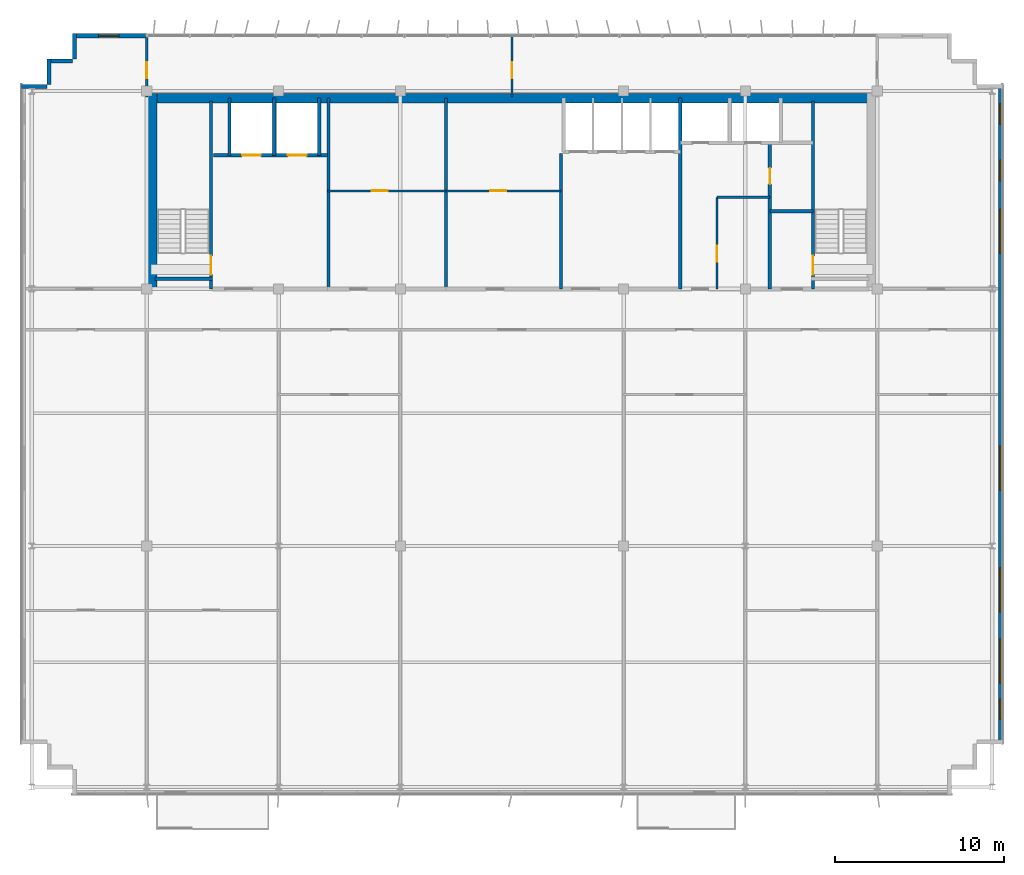
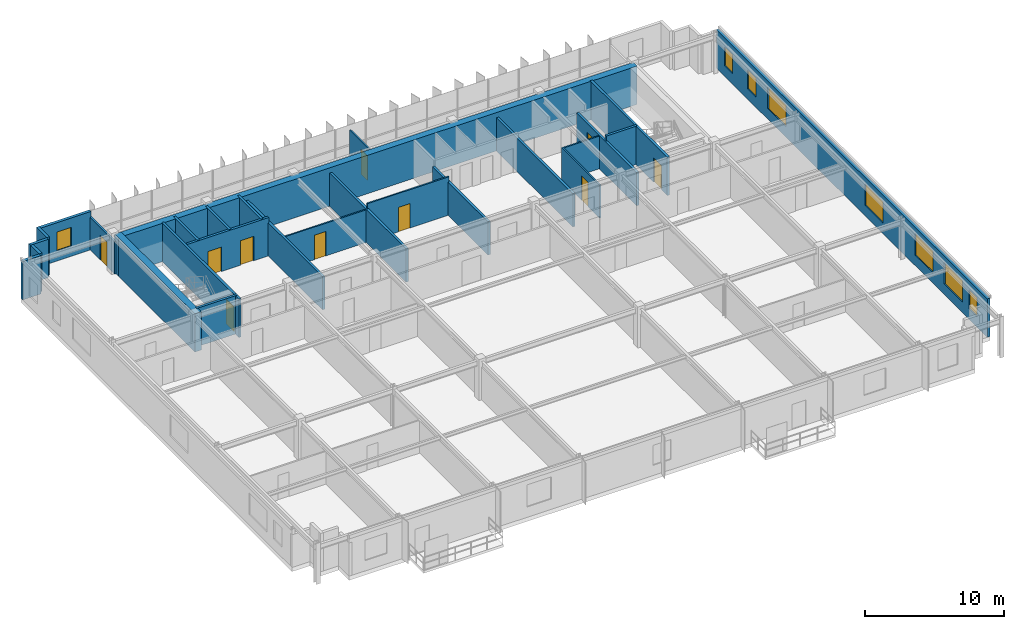
# One storey, part 18 of 21: 27 walls, 10 doors, 8 windows, 18 openings.
"""IFC4 building model written with IfcOpenShell, lengths in metres."""

from ifc_helpers import new_model, si_unit, direction, frame, frame_2d, origin, place, context, subcontext, project, spatial, rectangle, extrude, source, transform, mapped, material, layer, layer_set, type_object, element, fill, save


model = new_model("IFC4")

# Units and contexts
model_context = context("Model", 3, precision=1e-05, world=origin(), true_north=direction((0.0, 1.0)))
body_context = subcontext(model_context, "Body", "Model", "MODEL_VIEW")
ifc_project = project(units=[si_unit("LENGTHUNIT", "METRE"), si_unit("AREAUNIT", "SQUARE_METRE"), si_unit("VOLUMEUNIT", "CUBIC_METRE"), si_unit("PLANEANGLEUNIT", "RADIAN"), si_unit("MASSUNIT", "GRAM", prefix="KILO")], contexts=[model_context])

# Site, building, storey
site_placement = place(None, origin())
site = spatial("IfcSite", under=ifc_project, at=site_placement, CompositionType="ELEMENT")
building_placement = place(site_placement, origin())
building = spatial("IfcBuilding", under=site, at=building_placement, Name="Trelvane Seafront Commons", CompositionType="ELEMENT")
storey_placement = place(building_placement, frame((0.0, 0.0, 248.699951171875)))
storey = spatial("IfcBuildingStorey", under=building, at=storey_placement, Name="L64", CompositionType="ELEMENT", Elevation=248.699951171875)

# Wall, opening, window
ifc_material_1 = material(Name="Precast concrete C40/50", Category="concrete")
ifc_layer_1 = layer(ifc_material_1, 0.239990234375, Name="ARCH-WALL-EXT240")
ifc_layer_set_1 = layer_set([ifc_layer_1], Name="Precast concrete C40/50")
wall_type_1 = type_object("IfcWallType", Name="ARCH-WALL-EXT240", PredefinedType="SOLIDWALL", material=ifc_layer_set_1)
wall_1_placement = place(storey_placement, frame((11.300048828125, 48.3701171875, 0.0), z_axis=(0.0, 0.0, 1.0), x_axis=(1.0, 0.0, 0.0)))
wall_1 = element("IfcWall", 1, at=wall_1_placement, inside=storey, type_object=wall_type_1, Name="EW-L64-NW-1277", PredefinedType="SOLIDWALL", context=body_context, shape_type="SweptSolid", body=[
    extrude(rectangle(XDim=4.300048828125, YDim=0.239990234375, at=frame_2d((2.14990234375, 0.0))), origin(), (0.0, 0.0, 1.0), 3.3701171875),
])
opening_1_placement = place(wall_1_placement, frame((1.4599609375, 0.0, 0.89990234375)))
opening_1 = element("IfcOpeningElement", 2, at=opening_1_placement, cuts=wall_1, Name="Opening W05", PredefinedType="OPENING", context=body_context, shape_type="SweptSolid", body=[
    extrude(rectangle(XDim=1.199951171875, YDim=1.64990234375, at=frame_2d((0.60009765625, 0.824951171875))), frame((0.0, 0.1298828125, 0.0), z_axis=(0.0, -1.0, 0.0), x_axis=(1.0, 0.0, 0.0)), (0.0, 0.0, 1.0), 0.260009765625),
])
ifc_material_2 = material(Name="Low-E coastal double glazing", Category="glass")
window_type_1 = type_object("IfcWindowType", Name="ARCH-WIN-W05", PartitioningType="SINGLE_PANEL", PredefinedType="WINDOW", material=ifc_material_2)
shared_shape_1 = source(origin(), body_context, "Body", "SweptSolid", [
    extrude(rectangle(XDim=1.199951171875, YDim=1.64990234375, at=frame_2d((0.60009765625, 0.824951171875))), frame((0.0, 0.030029296875, 0.0), z_axis=(0.0, -1.0, 0.0), x_axis=(1.0, 0.0, 0.0)), (0.0, 0.0, 1.0), 0.06005859375),
])
window_1_placement = place(opening_1_placement, origin())
window_1 = element("IfcWindow", 3, at=window_1_placement, inside=storey, type_object=window_type_1, Name="WIN-L64-01534", OverallHeight=1.64990234375, OverallWidth=1.199951171875, PartitioningType="SINGLE_PANEL", PredefinedType="WINDOW", context=body_context, shape_type="MappedRepresentation", body=[
    mapped(shared_shape_1, transform((0.0, 0.0, 0.0), x_axis=(1.0, 0.0, 0.0), y_axis=(0.0, 1.0, 0.0), z_axis=(0.0, 0.0, 1.0), scale=1.0)),
])
fill(opening_1, window_1)

# Walls
for number, where, z_axis, x_axis, name in (
    (4, (8.199951171875, 45.3798828125, 0.0), (0.0, 0.0, 1.0), (1.0, 0.0, 0.0), "EW-L64-01283"),
    (5, (9.820068359375, 45.5, 0.0), (0.0, 0.0, 1.0), (0.0, 1.0, 0.0), "EW-L64-01284"),
    (6, (9.699951171875, 46.8798828125, 0.0), (0.0, 0.0, 1.0), (1.0, 0.0, 0.0), "EW-L64-01285"),
    (7, (11.320068359375, 47.0, 0.0), (0.0, 0.0, 1.0), (0.0, 1.0, 0.0), "EW-L64-01286"),
):
    element("IfcWall", number, at=place(storey_placement, frame(where, z_axis=z_axis, x_axis=x_axis)), inside=storey, type_object=wall_type_1, Name=name, PredefinedType="SOLIDWALL", context=body_context, shape_type="SweptSolid", body=[
        extrude(rectangle(XDim=1.5, YDim=0.239990234375, at=frame_2d((0.75, 0.0))), origin(), (0.0, 0.0, 1.0), 3.3701171875),
    ])

# Wall, openings, windows
wall_2_placement = place(storey_placement, frame((66.080078125, 45.5, 0.0), z_axis=(0.0, 0.0, 1.0), x_axis=(0.0, -1.0, 0.0)))
wall_2 = element("IfcWall", 8, at=wall_2_placement, inside=storey, type_object=wall_type_1, Name="EW-L64-01291", PredefinedType="SOLIDWALL", context=body_context, shape_type="SweptSolid", body=[
    extrude(rectangle(XDim=39.0, YDim=0.239990234375, at=frame_2d((19.5, 0.0))), origin(), (0.0, 0.0, 1.0), 3.3701171875),
])
opening_2_placement = place(wall_2_placement, frame((36.35009765625, 0.0, 0.919921875)))
opening_2 = element("IfcOpeningElement", 9, at=opening_2_placement, cuts=wall_2, Name="Opening W05", PredefinedType="OPENING", context=body_context, shape_type="SweptSolid", body=[
    extrude(rectangle(XDim=1.199951171875, YDim=1.64990234375, at=frame_2d((0.60009765625, 0.824951171875))), frame((0.0, 0.1298828125, 0.0), z_axis=(0.0, -1.0, 0.0), x_axis=(1.0, 0.0, 0.0)), (0.0, 0.0, 1.0), 0.260009765625),
])
opening_3_placement = place(wall_2_placement, frame((32.800048828125, 0.0, 0.919921875)))
opening_3 = element("IfcOpeningElement", 10, at=opening_3_placement, cuts=wall_2, Name="Opening W04", PredefinedType="OPENING", context=body_context, shape_type="SweptSolid", body=[
    extrude(rectangle(XDim=2.60009765625, YDim=1.89990234375, at=frame_2d((1.300048828125, 0.949951171875))), frame((0.0, 0.1298828125, 0.0), z_axis=(0.0, -1.0, 0.0), x_axis=(1.0, 0.0, 0.0)), (0.0, 0.0, 1.0), 0.260009765625),
])
opening_4_placement = place(wall_2_placement, frame((28.60009765625, 0.0, 0.919921875)))
opening_4 = element("IfcOpeningElement", 11, at=opening_4_placement, cuts=wall_2, Name="Opening W04", PredefinedType="OPENING", context=body_context, shape_type="SweptSolid", body=[
    extrude(rectangle(XDim=2.60009765625, YDim=1.89990234375, at=frame_2d((1.300048828125, 0.949951171875))), frame((0.0, 0.1298828125, 0.0), z_axis=(0.0, -1.0, 0.0), x_axis=(1.0, 0.0, 0.0)), (0.0, 0.0, 1.0), 0.260009765625),
])
opening_5_placement = place(wall_2_placement, frame((21.39990234375, 0.0, 0.919921875)))
opening_5 = element("IfcOpeningElement", 12, at=opening_5_placement, cuts=wall_2, Name="Opening W04", PredefinedType="OPENING", context=body_context, shape_type="SweptSolid", body=[
    extrude(rectangle(XDim=2.60009765625, YDim=1.89990234375, at=frame_2d((1.300048828125, 0.949951171875))), frame((0.0, 0.1298828125, 0.0), z_axis=(0.0, -1.0, 0.0), x_axis=(1.0, 0.0, 0.0)), (0.0, 0.0, 1.0), 0.260009765625),
])
opening_6_placement = place(wall_2_placement, frame((7.39990234375, 0.0, 0.919921875)))
opening_6 = element("IfcOpeningElement", 13, at=opening_6_placement, cuts=wall_2, Name="Opening W04", PredefinedType="OPENING", context=body_context, shape_type="SweptSolid", body=[
    extrude(rectangle(XDim=2.60009765625, YDim=1.89990234375, at=frame_2d((1.300048828125, 0.949951171875))), frame((0.0, 0.1298828125, 0.0), z_axis=(0.0, -1.0, 0.0), x_axis=(1.0, 0.0, 0.0)), (0.0, 0.0, 1.0), 0.260009765625),
])
opening_7_placement = place(wall_2_placement, frame((4.5, 0.0, 0.919921875)))
opening_7 = element("IfcOpeningElement", 14, at=opening_7_placement, cuts=wall_2, Name="Opening W05", PredefinedType="OPENING", context=body_context, shape_type="SweptSolid", body=[
    extrude(rectangle(XDim=1.199951171875, YDim=1.64990234375, at=frame_2d((0.60009765625, 0.824951171875))), frame((0.0, 0.1298828125, 0.0), z_axis=(0.0, -1.0, 0.0), x_axis=(1.0, 0.0, 0.0)), (0.0, 0.0, 1.0), 0.260009765625),
])
opening_8_placement = place(wall_2_placement, frame((1.14990234375, 0.0, 0.919921875)))
opening_8 = element("IfcOpeningElement", 15, at=opening_8_placement, cuts=wall_2, Name="Opening W05", PredefinedType="OPENING", context=body_context, shape_type="SweptSolid", body=[
    extrude(rectangle(XDim=1.199951171875, YDim=1.64990234375, at=frame_2d((0.60009765625, 0.824951171875))), frame((0.0, 0.1298828125, 0.0), z_axis=(0.0, -1.0, 0.0), x_axis=(1.0, 0.0, 0.0)), (0.0, 0.0, 1.0), 0.260009765625),
])
window_type_2 = type_object("IfcWindowType", Name="ARCH-WIN-W04", PartitioningType="SINGLE_PANEL", PredefinedType="WINDOW", material=ifc_material_2)
shared_shape_2 = source(origin(), body_context, "Body", "SweptSolid", [
    extrude(rectangle(XDim=2.60009765625, YDim=1.89990234375, at=frame_2d((1.300048828125, 0.949951171875))), frame((0.0, 0.030029296875, 0.0), z_axis=(0.0, -1.0, 0.0), x_axis=(1.0, 0.0, 0.0)), (0.0, 0.0, 1.0), 0.06005859375),
])
window_2_placement = place(opening_3_placement, origin())
window_2 = element("IfcWindow", 16, at=window_2_placement, inside=storey, type_object=window_type_2, Name="WIN-L64-EW-01543", OverallHeight=1.89990234375, OverallWidth=2.60009765625, PartitioningType="SINGLE_PANEL", PredefinedType="WINDOW", context=body_context, shape_type="MappedRepresentation", body=[
    mapped(shared_shape_2, transform((0.0, 0.0, 0.0), x_axis=(1.0, 0.0, 0.0), y_axis=(0.0, 1.0, 0.0), z_axis=(0.0, 0.0, 1.0), scale=1.0)),
])
fill(opening_3, window_2)
window_3_placement = place(opening_4_placement, origin())
window_3 = element("IfcWindow", 17, at=window_3_placement, inside=storey, type_object=window_type_2, Name="WIN-L64-EW-01544", OverallHeight=1.89990234375, OverallWidth=2.60009765625, PartitioningType="SINGLE_PANEL", PredefinedType="WINDOW", context=body_context, shape_type="MappedRepresentation", body=[
    mapped(shared_shape_2, transform((0.0, 0.0, 0.0), x_axis=(1.0, 0.0, 0.0), y_axis=(0.0, 1.0, 0.0), z_axis=(0.0, 0.0, 1.0), scale=1.0)),
])
fill(opening_4, window_3)
window_4_placement = place(opening_5_placement, origin())
window_4 = element("IfcWindow", 18, at=window_4_placement, inside=storey, type_object=window_type_2, Name="WIN-L64-EW-01545", OverallHeight=1.89990234375, OverallWidth=2.60009765625, PartitioningType="SINGLE_PANEL", PredefinedType="WINDOW", context=body_context, shape_type="MappedRepresentation", body=[
    mapped(shared_shape_2, transform((0.0, 0.0, 0.0), x_axis=(1.0, 0.0, 0.0), y_axis=(0.0, 1.0, 0.0), z_axis=(0.0, 0.0, 1.0), scale=1.0)),
])
fill(opening_5, window_4)
window_5_placement = place(opening_6_placement, origin())
window_5 = element("IfcWindow", 19, at=window_5_placement, inside=storey, type_object=window_type_2, Name="WIN-L64-EW-01546", OverallHeight=1.89990234375, OverallWidth=2.60009765625, PartitioningType="SINGLE_PANEL", PredefinedType="WINDOW", context=body_context, shape_type="MappedRepresentation", body=[
    mapped(shared_shape_2, transform((0.0, 0.0, 0.0), x_axis=(1.0, 0.0, 0.0), y_axis=(0.0, 1.0, 0.0), z_axis=(0.0, 0.0, 1.0), scale=1.0)),
])
fill(opening_6, window_5)
window_6_placement = place(opening_2_placement, origin())
window_6 = element("IfcWindow", 20, at=window_6_placement, inside=storey, type_object=window_type_1, Name="WIN-L64-EW-01542", OverallHeight=1.64990234375, OverallWidth=1.199951171875, PartitioningType="SINGLE_PANEL", PredefinedType="WINDOW", context=body_context, shape_type="MappedRepresentation", body=[
    mapped(shared_shape_1, transform((0.0, 0.0, 0.0), x_axis=(1.0, 0.0, 0.0), y_axis=(0.0, 1.0, 0.0), z_axis=(0.0, 0.0, 1.0), scale=1.0)),
])
fill(opening_2, window_6)
window_7_placement = place(opening_7_placement, origin())
window_7 = element("IfcWindow", 21, at=window_7_placement, inside=storey, type_object=window_type_1, Name="WIN-L64-EW-01547", OverallHeight=1.64990234375, OverallWidth=1.199951171875, PartitioningType="SINGLE_PANEL", PredefinedType="WINDOW", context=body_context, shape_type="MappedRepresentation", body=[
    mapped(shared_shape_1, transform((0.0, 0.0, 0.0), x_axis=(1.0, 0.0, 0.0), y_axis=(0.0, 1.0, 0.0), z_axis=(0.0, 0.0, 1.0), scale=1.0)),
])
fill(opening_7, window_7)
window_8_placement = place(opening_8_placement, origin())
window_8 = element("IfcWindow", 22, at=window_8_placement, inside=storey, type_object=window_type_1, Name="WIN-L64-EW-01548", OverallHeight=1.64990234375, OverallWidth=1.199951171875, PartitioningType="SINGLE_PANEL", PredefinedType="WINDOW", context=body_context, shape_type="MappedRepresentation", body=[
    mapped(shared_shape_1, transform((0.0, 0.0, 0.0), x_axis=(1.0, 0.0, 0.0), y_axis=(0.0, 1.0, 0.0), z_axis=(0.0, 0.0, 1.0), scale=1.0)),
])
fill(opening_8, window_8)

# Wall, opening, door
ifc_material_3 = material(Name="Concrete C40/50", Category="concrete")
ifc_layer_2 = layer(ifc_material_3, 0.199951171875, Name="ARCH-WALL-FIRE200")
ifc_layer_set_2 = layer_set([ifc_layer_2], Name="Concrete C40/50")
wall_type_2 = type_object("IfcWallType", Name="ARCH-WALL-FIRE200", PredefinedType="PARTITIONING", material=ifc_layer_set_2)
wall_3_placement = place(storey_placement, frame((52.449951171875, 33.39990234375, 0.0), z_axis=(0.0, 0.0, 1.0), x_axis=(0.0, 1.0, 0.0)))
wall_3 = element("IfcWall", 23, at=wall_3_placement, inside=storey, type_object=wall_type_2, Name="W-L64-ST2V-W-030", PredefinedType="PARTITIONING", context=body_context, shape_type="SweptSolid", body=[
    extrude(rectangle(XDim=8.650146484375, YDim=0.199951171875, at=frame_2d((4.3251953125, 0.0))), origin(), (0.0, 0.0, 1.0), 2.920166015625),
])
opening_9_placement = place(wall_3_placement, frame((6.199951171875, 0.0, 0.0)))
opening_9 = element("IfcOpeningElement", 24, at=opening_9_placement, cuts=wall_3, Name="Opening FD-L64-17", PredefinedType="OPENING", context=body_context, shape_type="SweptSolid", body=[
    extrude(rectangle(XDim=0.949951171875, YDim=2.14990234375, at=frame_2d((0.47509765625, 1.074951171875))), frame((0.0, 0.10986328125, 0.0), z_axis=(0.0, -1.0, 0.0), x_axis=(1.0, 0.0, 0.0)), (0.0, 0.0, 1.0), 0.219970703125),
])
ifc_material_4 = material(Name="Powder-coated aluminium frame", Category="aluminium")
door_type_1 = type_object("IfcDoorType", Name="ARCH-DR-FD60-950", OperationType="NOTDEFINED", PredefinedType="DOOR", material=ifc_material_4)
shared_shape_3 = source(origin(), body_context, "Body", "SweptSolid", [
    extrude(rectangle(XDim=0.949951171875, YDim=2.14990234375, at=frame_2d((0.47509765625, 1.074951171875))), frame((0.0, 0.02490234375, 0.0), z_axis=(0.0, -1.0, 0.0), x_axis=(1.0, 0.0, 0.0)), (0.0, 0.0, 1.0), 0.050048828125),
])
door_1_placement = place(opening_9_placement, origin())
door_1 = element("IfcDoor", 25, at=door_1_placement, inside=storey, type_object=door_type_1, Name="L64 Cleaner Store Door", OperationType="SINGLE_SWING_LEFT", OverallHeight=2.14990234375, OverallWidth=0.949951171875, PredefinedType="DOOR", context=body_context, shape_type="MappedRepresentation", body=[
    mapped(shared_shape_3, transform((0.0, 0.0, 0.0), x_axis=(1.0, 0.0, 0.0), y_axis=(0.0, 1.0, 0.0), z_axis=(0.0, 0.0, 1.0), scale=1.0)),
])
fill(opening_9, door_1)

# Wall
wall_4_placement = place(storey_placement, frame((52.449951171875, 38.0, 0.0), z_axis=(0.0, 0.0, 1.0), x_axis=(1.0, 0.0, 0.0)))
element("IfcWall", 26, at=wall_4_placement, inside=storey, type_object=wall_type_2, Name="W-L64-ST2V-N-031", PredefinedType="PARTITIONING", context=body_context, shape_type="SweptSolid", body=[
    extrude(rectangle(XDim=2.550048828125, YDim=0.199951171875, at=frame_2d((1.27490234375, 0.0))), origin(), (0.0, 0.0, 1.0), 3.3701171875),
])

# Wall, opening, door
ifc_material_5 = material(Name="Gypsum Drywall Acoustic Partition")
ifc_layer_3 = layer(ifc_material_5, 0.1201171875, Name="ARCH-WALL-PART120")
ifc_layer_set_3 = layer_set([ifc_layer_3], Name="Gypsum Drywall Acoustic Partition")
wall_type_3 = type_object("IfcWallType", Name="ARCH-WALL-PART120", PredefinedType="PARTITIONING", material=ifc_layer_set_3)
wall_5_placement = place(storey_placement, frame((26.300048828125, 39.199951171875, 0.0), z_axis=(0.0, 0.0, 1.0), x_axis=(1.0, 0.0, 0.0)))
wall_5 = element("IfcWall", 27, at=wall_5_placement, inside=storey, type_object=wall_type_3, Name="W-L64-FREED-PL-MID-014", PredefinedType="PARTITIONING", context=body_context, shape_type="SweptSolid", body=[
    extrude(rectangle(XDim=7.0, YDim=0.1201171875, at=frame_2d((3.5, 0.0))), origin(), (0.0, 0.0, 1.0), 2.8701171875),
])
opening_10_placement = place(wall_5_placement, frame((2.60009765625, 0.0, 0.0)))
opening_10 = element("IfcOpeningElement", 28, at=opening_10_placement, cuts=wall_5, Name="Opening D-L64-06", PredefinedType="OPENING", context=body_context, shape_type="SweptSolid", body=[
    extrude(rectangle(XDim=0.949951171875, YDim=2.14990234375, at=frame_2d((0.47509765625, 1.074951171875))), frame((0.0, 0.070068359375, 0.0), z_axis=(0.0, -1.0, 0.0), x_axis=(1.0, 0.0, 0.0)), (0.0, 0.0, 1.0), 0.14013671875),
])
ifc_material_6 = material(Name="Acoustic timber door leaf", Category="wood")
door_type_2 = type_object("IfcDoorType", Name="ARCH-DR-INT950", OperationType="NOTDEFINED", PredefinedType="DOOR", material=ifc_material_6)
door_2_placement = place(opening_10_placement, origin())
door_2 = element("IfcDoor", 29, at=door_2_placement, inside=storey, type_object=door_type_2, Name="L64 Housekeeping Store Door", OperationType="SINGLE_SWING_RIGHT", OverallHeight=2.14990234375, OverallWidth=0.949951171875, PredefinedType="DOOR", context=body_context, shape_type="MappedRepresentation", body=[
    mapped(shared_shape_3, transform((0.0, 0.0, 0.0), x_axis=(1.0, 0.0, 0.0), y_axis=(0.0, 1.0, 0.0), z_axis=(0.0, 0.0, 1.0), scale=1.0)),
])
fill(opening_10, door_2)

wall_6_placement = place(storey_placement, frame((33.300048828125, 39.199951171875, 0.0), z_axis=(0.0, 0.0, 1.0), x_axis=(1.0, 0.0, 0.0)))
wall_6 = element("IfcWall", 30, at=wall_6_placement, inside=storey, type_object=wall_type_3, Name="W-L64-FREED-PM-MID-016", PredefinedType="PARTITIONING", context=body_context, shape_type="SweptSolid", body=[
    extrude(rectangle(XDim=6.800048828125, YDim=0.1201171875, at=frame_2d((3.39990234375, 0.0))), origin(), (0.0, 0.0, 1.0), 3.3701171875),
])
opening_11_placement = place(wall_6_placement, frame((2.60009765625, 0.0, 0.0)))
opening_11 = element("IfcOpeningElement", 31, at=opening_11_placement, cuts=wall_6, Name="Opening D-L64-07", PredefinedType="OPENING", context=body_context, shape_type="SweptSolid", body=[
    extrude(rectangle(XDim=0.949951171875, YDim=2.14990234375, at=frame_2d((0.47509765625, 1.074951171875))), frame((0.0, 0.070068359375, 0.0), z_axis=(0.0, -1.0, 0.0), x_axis=(1.0, 0.0, 0.0)), (0.0, 0.0, 1.0), 0.14013671875),
])
door_3_placement = place(opening_11_placement, origin())
door_3 = element("IfcDoor", 32, at=door_3_placement, inside=storey, type_object=door_type_2, Name="L64 IT Comms Room Door", OperationType="SINGLE_SWING_LEFT", OverallHeight=2.14990234375, OverallWidth=0.949951171875, PredefinedType="DOOR", context=body_context, shape_type="MappedRepresentation", body=[
    mapped(shared_shape_3, transform((0.0, 0.0, 0.0), x_axis=(1.0, 0.0, 0.0), y_axis=(0.0, 1.0, 0.0), z_axis=(0.0, 0.0, 1.0), scale=1.0)),
])
fill(opening_11, door_3)

wall_7_placement = place(storey_placement, frame((49.320068359375, 33.39990234375, 0.0), z_axis=(0.0, 0.0, 1.0), x_axis=(0.0, 1.0, 0.0)))
wall_7 = element("IfcWall", 33, at=wall_7_placement, inside=storey, type_object=wall_type_3, Name="W-L64-CYC2-V-032", PredefinedType="PARTITIONING", context=body_context, shape_type="SweptSolid", body=[
    extrude(rectangle(XDim=5.420166015625, YDim=0.1201171875, at=frame_2d((2.7099609375, 0.0))), origin(), (0.0, 0.0, 1.0), 2.920166015625),
])
opening_12_placement = place(wall_7_placement, frame((1.60009765625, 0.0, 0.0)))
opening_12 = element("IfcOpeningElement", 34, at=opening_12_placement, cuts=wall_7, Name="Opening D-L64-18", PredefinedType="OPENING", context=body_context, shape_type="SweptSolid", body=[
    extrude(rectangle(XDim=0.949951171875, YDim=2.14990234375, at=frame_2d((0.47509765625, 1.074951171875))), frame((0.0, 0.070068359375, 0.0), z_axis=(0.0, -1.0, 0.0), x_axis=(1.0, 0.0, 0.0)), (0.0, 0.0, 1.0), 0.14013671875),
])
door_4_placement = place(opening_12_placement, origin())
door_4 = element("IfcDoor", 35, at=door_4_placement, inside=storey, type_object=door_type_2, Name="L64 Accessible WC Door", OperationType="SINGLE_SWING_RIGHT", OverallHeight=2.14990234375, OverallWidth=0.949951171875, PredefinedType="DOOR", context=body_context, shape_type="MappedRepresentation", body=[
    mapped(shared_shape_3, transform((0.0, 0.0, 0.0), x_axis=(1.0, 0.0, 0.0), y_axis=(0.0, 1.0, 0.0), z_axis=(0.0, 0.0, 1.0), scale=1.0)),
])
fill(opening_12, door_4)

# Wall
wall_8_placement = place(storey_placement, frame((49.320068359375, 38.820068359375, 0.0), z_axis=(0.0, 0.0, 1.0), x_axis=(1.0, 0.0, 0.0)))
element("IfcWall", 36, at=wall_8_placement, inside=storey, type_object=wall_type_3, Name="W-L64-CYC2-H-033", PredefinedType="PARTITIONING", context=body_context, shape_type="SweptSolid", body=[
    extrude(rectangle(XDim=3.1298828125, YDim=0.1201171875, at=frame_2d((1.56494140625, 0.0))), origin(), (0.0, 0.0, 1.0), 2.8701171875),
])

# Wall, opening, door
wall_9_placement = place(storey_placement, frame((37.199951171875, 44.75, 0.0), z_axis=(0.0, 0.0, 1.0), x_axis=(0.0, 1.0, 0.0)))
wall_9 = element("IfcWall", 37, at=wall_9_placement, inside=storey, type_object=wall_type_3, Name="W-L64-N-MID-DV-037", PredefinedType="PARTITIONING", context=body_context, shape_type="SweptSolid", body=[
    extrude(rectangle(XDim=3.610107421875, YDim=0.1201171875, at=frame_2d((1.80517578125, 0.0))), origin(), (0.0, 0.0, 1.0), 2.920166015625),
])
opening_13_placement = place(wall_9_placement, frame((1.10009765625, 0.0, 0.0)))
opening_13 = element("IfcOpeningElement", 38, at=opening_13_placement, cuts=wall_9, Name="Opening D-L64-23", PredefinedType="OPENING", context=body_context, shape_type="SweptSolid", body=[
    extrude(rectangle(XDim=0.949951171875, YDim=2.14990234375, at=frame_2d((0.47509765625, 1.074951171875))), frame((0.0, 0.070068359375, 0.0), z_axis=(0.0, -1.0, 0.0), x_axis=(1.0, 0.0, 0.0)), (0.0, 0.0, 1.0), 0.14013671875),
])
door_5_placement = place(opening_13_placement, origin())
door_5 = element("IfcDoor", 39, at=door_5_placement, inside=storey, type_object=door_type_2, Name="L64 Door 23", OperationType="SINGLE_SWING_LEFT", OverallHeight=2.14990234375, OverallWidth=0.949951171875, PredefinedType="DOOR", context=body_context, shape_type="MappedRepresentation", body=[
    mapped(shared_shape_3, transform((0.0, 0.0, 0.0), x_axis=(1.0, 0.0, 0.0), y_axis=(0.0, 1.0, 0.0), z_axis=(0.0, 0.0, 1.0), scale=1.0)),
])
fill(opening_13, door_5)

ifc_layer_4 = layer(ifc_material_5, 0.14990234375, Name="ARCH-WALL-PART150")
ifc_layer_set_4 = layer_set([ifc_layer_4], Name="Gypsum Drywall Acoustic Partition")
wall_type_4 = type_object("IfcWallType", Name="ARCH-WALL-PART150", PredefinedType="PARTITIONING", material=ifc_layer_set_4)
wall_10_placement = place(storey_placement, frame((15.60009765625, 44.75, 0.0), z_axis=(0.0, 0.0, 1.0), x_axis=(0.0, 1.0, 0.0)))
wall_10 = element("IfcWall", 40, at=wall_10_placement, inside=storey, type_object=wall_type_4, Name="W-L64-N-LINK-W-038", PredefinedType="PARTITIONING", context=body_context, shape_type="SweptSolid", body=[
    extrude(rectangle(XDim=3.610107421875, YDim=0.14990234375, at=frame_2d((1.80517578125, 0.0))), origin(), (0.0, 0.0, 1.0), 2.8701171875),
])
opening_14_placement = place(wall_10_placement, frame((1.10009765625, 0.0, 0.0)))
opening_14 = element("IfcOpeningElement", 41, at=opening_14_placement, cuts=wall_10, Name="Opening FD-L64-24", PredefinedType="OPENING", context=body_context, shape_type="SweptSolid", body=[
    extrude(rectangle(XDim=0.949951171875, YDim=2.14990234375, at=frame_2d((0.47509765625, 1.074951171875))), frame((0.0, 0.0849609375, 0.0), z_axis=(0.0, -1.0, 0.0), x_axis=(1.0, 0.0, 0.0)), (0.0, 0.0, 1.0), 0.169921875),
])
door_6_placement = place(opening_14_placement, origin())
door_6 = element("IfcDoor", 42, at=door_6_placement, inside=storey, type_object=door_type_1, Name="L64 Door 24", OperationType="SINGLE_SWING_RIGHT", OverallHeight=2.14990234375, OverallWidth=0.949951171875, PredefinedType="DOOR", context=body_context, shape_type="MappedRepresentation", body=[
    mapped(shared_shape_3, transform((0.0, 0.0, 0.0), x_axis=(1.0, 0.0, 0.0), y_axis=(0.0, 1.0, 0.0), z_axis=(0.0, 0.0, 1.0), scale=1.0)),
])
fill(opening_14, door_6)

# Wall, openings, doors
ifc_layer_5 = layer(ifc_material_3, 0.199951171875, Name="ARCH-WALL-SHAFT200")
ifc_layer_set_5 = layer_set([ifc_layer_5], Name="Concrete C40/50")
wall_type_5 = type_object("IfcWallType", Name="ARCH-WALL-SHAFT200", PredefinedType="SOLIDWALL", material=ifc_layer_set_5)
wall_11_placement = place(storey_placement, frame((19.550048828125, 41.300048828125, 0.0), z_axis=(0.0, 0.0, 1.0), x_axis=(1.0, 0.0, 0.0)))
wall_11 = element("IfcWall", 43, at=wall_11_placement, inside=storey, type_object=wall_type_5, Name="W-L64-FFL-FRONT-008", PredefinedType="SOLIDWALL", context=body_context, shape_type="SweptSolid", body=[
    extrude(rectangle(XDim=6.75, YDim=0.199951171875, at=frame_2d((3.375, 0.0))), origin(), (0.0, 0.0, 1.0), 3.3701171875),
])
opening_15_placement = place(wall_11_placement, frame((1.699951171875, 0.0, 0.0)))
opening_15 = element("IfcOpeningElement", 44, at=opening_15_placement, cuts=wall_11, Name="Opening LD-FF1-L64", PredefinedType="OPENING", context=body_context, shape_type="SweptSolid", body=[
    extrude(rectangle(XDim=1.10009765625, YDim=2.14990234375, at=frame_2d((0.550048828125, 1.074951171875))), frame((0.0, 0.10986328125, 0.0), z_axis=(0.0, -1.0, 0.0), x_axis=(1.0, 0.0, 0.0)), (0.0, 0.0, 1.0), 0.219970703125),
])
opening_16_placement = place(wall_11_placement, frame((4.39990234375, 0.0, 0.0)))
opening_16 = element("IfcOpeningElement", 45, at=opening_16_placement, cuts=wall_11, Name="Opening LD-FF2-L64", PredefinedType="OPENING", context=body_context, shape_type="SweptSolid", body=[
    extrude(rectangle(XDim=1.10009765625, YDim=2.14990234375, at=frame_2d((0.550048828125, 1.074951171875))), frame((0.0, 0.10986328125, 0.0), z_axis=(0.0, -1.0, 0.0), x_axis=(1.0, 0.0, 0.0)), (0.0, 0.0, 1.0), 0.219970703125),
])
ifc_material_7 = material(Name="Stainless steel balustrade", Category="steel")
door_type_3 = type_object("IfcDoorType", Name="ARCH-DR-LD1100", OperationType="DOUBLE_DOOR_SLIDING", PredefinedType="DOOR", material=ifc_material_7)
shared_shape_4 = source(origin(), body_context, "Body", "SweptSolid", [
    extrude(rectangle(XDim=1.10009765625, YDim=2.14990234375, at=frame_2d((0.550048828125, 1.074951171875))), frame((0.0, 0.02490234375, 0.0), z_axis=(0.0, -1.0, 0.0), x_axis=(1.0, 0.0, 0.0)), (0.0, 0.0, 1.0), 0.050048828125),
])
door_7_placement = place(opening_15_placement, origin())
door_7 = element("IfcDoor", 46, at=door_7_placement, inside=storey, type_object=door_type_3, Name="L64 Firefighting Lift FFL-1 Landing Door", OperationType="DOUBLE_DOOR_SLIDING", OverallHeight=2.14990234375, OverallWidth=1.10009765625, PredefinedType="DOOR", context=body_context, shape_type="MappedRepresentation", body=[
    mapped(shared_shape_4, transform((0.0, 0.0, 0.0), x_axis=(1.0, 0.0, 0.0), y_axis=(0.0, 1.0, 0.0), z_axis=(0.0, 0.0, 1.0), scale=1.0)),
])
fill(opening_15, door_7)
door_8_placement = place(opening_16_placement, origin())
door_8 = element("IfcDoor", 47, at=door_8_placement, inside=storey, type_object=door_type_3, Name="L64 Firefighting Lift FFL-2 Landing Door", OperationType="DOUBLE_DOOR_SLIDING", OverallHeight=2.14990234375, OverallWidth=1.10009765625, PredefinedType="DOOR", context=body_context, shape_type="MappedRepresentation", body=[
    mapped(shared_shape_4, transform((0.0, 0.0, 0.0), x_axis=(1.0, 0.0, 0.0), y_axis=(0.0, 1.0, 0.0), z_axis=(0.0, 0.0, 1.0), scale=1.0)),
])
fill(opening_16, door_8)

# Walls
for number, where, z_axis, x_axis, name in (
    (48, (20.5, 41.300048828125, 0.0), (0.0, 0.0, 1.0), (0.0, 1.0, 0.0), "W-L64-FFL-SH-W-009"),
    (49, (23.14990234375, 41.300048828125, 0.0), (0.0, 0.0, 1.0), (0.0, 1.0, 0.0), "W-L64-FFL-DIV-010"),
    (50, (25.800048828125, 41.300048828125, 0.0), (0.0, 0.0, 1.0), (0.0, 1.0, 0.0), "W-L64-FFL-SH-E-011"),
):
    element("IfcWall", number, at=place(storey_placement, frame(where, z_axis=z_axis, x_axis=x_axis)), inside=storey, type_object=wall_type_5, Name=name, PredefinedType="SOLIDWALL", context=body_context, shape_type="SweptSolid", body=[
        extrude(rectangle(XDim=3.39990234375, YDim=0.199951171875, at=frame_2d((1.699951171875, 0.0))), origin(), (0.0, 0.0, 1.0), 3.3701171875),
    ])
for number, where, z_axis, x_axis, name in (
    (51, (26.35009765625, 33.39990234375, 0.0), (0.0, 0.0, 1.0), (0.0, 1.0, 0.0), "W-L64-FFL-EAST-012"),
    (52, (33.300048828125, 33.39990234375, 0.0), (0.0, 0.0, 1.0), (0.0, 1.0, 0.0), "W-L64-FREED-PL-E-015"),
):
    element("IfcWall", number, at=place(storey_placement, frame(where, z_axis=z_axis, x_axis=x_axis)), inside=storey, type_object=wall_type_5, Name=name, PredefinedType="SOLIDWALL", context=body_context, shape_type="SweptSolid", body=[
        extrude(rectangle(XDim=11.300048828125, YDim=0.199951171875, at=frame_2d((5.64990234375, 0.0))), origin(), (0.0, 0.0, 1.0), 2.920166015625),
    ])
wall_12_placement = place(storey_placement, frame((40.10009765625, 33.39990234375, 0.0), z_axis=(0.0, 0.0, 1.0), x_axis=(0.0, 1.0, 0.0)))
element("IfcWall", 53, at=wall_12_placement, inside=storey, type_object=wall_type_5, Name="W-L64-FREED-PM-E-017", PredefinedType="SOLIDWALL", context=body_context, shape_type="SweptSolid", body=[
    extrude(rectangle(XDim=8.0, YDim=0.199951171875, at=frame_2d((4.0, 0.0))), origin(), (0.0, 0.0, 1.0), 2.920166015625),
])
wall_13_placement = place(storey_placement, frame((47.14990234375, 33.39990234375, 0.0), z_axis=(0.0, 0.0, 1.0), x_axis=(0.0, 1.0, 0.0)))
element("IfcWall", 54, at=wall_13_placement, inside=storey, type_object=wall_type_5, Name="W-L64-PH-EAST-023", PredefinedType="SOLIDWALL", context=body_context, shape_type="SweptSolid", body=[
    extrude(rectangle(XDim=11.300048828125, YDim=0.199951171875, at=frame_2d((5.64990234375, 0.0))), origin(), (0.0, 0.0, 1.0), 2.920166015625),
])
ifc_material_8 = material(Name="Concrete C50/60", Category="concrete")
ifc_layer_6 = layer(ifc_material_8, 0.550048828125, Name="STR-WALL-CORE550")
ifc_layer_set_6 = layer_set([ifc_layer_6], Name="Concrete C50/60")
wall_type_6 = type_object("IfcWallType", Name="STR-WALL-CORE550", PredefinedType="SHEAR", material=ifc_layer_set_6)
wall_14_placement = place(storey_placement, frame((15.64990234375, 44.675048828125, 0.0), z_axis=(0.0, 0.0, 1.0), x_axis=(1.0, 0.0, 0.0)))
element("IfcWall", 55, at=wall_14_placement, inside=storey, type_object=wall_type_6, Name="W-L64-CN-ALL-001", PredefinedType="SHEAR", context=body_context, shape_type="SweptSolid", body=[
    extrude(rectangle(XDim=43.10009765625, YDim=0.550048828125, at=frame_2d((21.550048828125, 0.0))), origin(), (0.0, 0.0, 1.0), 3.3701171875),
])
wall_15_placement = place(storey_placement, frame((15.925048828125, 33.39990234375, 0.0), z_axis=(0.0, 0.0, 1.0), x_axis=(0.0, 1.0, 0.0)))
element("IfcWall", 56, at=wall_15_placement, inside=storey, type_object=wall_type_6, Name="W-L64-CW-END-002", PredefinedType="SHEAR", context=body_context, shape_type="SweptSolid", body=[
    extrude(rectangle(XDim=11.550048828125, YDim=0.550048828125, at=frame_2d((5.77490234375, 0.0))), origin(), (0.0, 0.0, 1.0), 3.3701171875),
])
ifc_layer_7 = layer(ifc_material_8, 0.199951171875, Name="STR-WALL-STAIR200")
ifc_layer_set_7 = layer_set([ifc_layer_7], Name="Concrete C50/60")
wall_type_7 = type_object("IfcWallType", Name="STR-WALL-STAIR200", PredefinedType="SHEAR", material=ifc_layer_set_7)
wall_16_placement = place(storey_placement, frame((16.10009765625, 34.0, 0.0), z_axis=(0.0, 0.0, 1.0), x_axis=(1.0, 0.0, 0.0)))
element("IfcWall", 57, at=wall_16_placement, inside=storey, type_object=wall_type_7, Name="W-L64-ST1-S-004", PredefinedType="SHEAR", context=body_context, shape_type="SweptSolid", body=[
    extrude(rectangle(XDim=3.39990234375, YDim=0.199951171875, at=frame_2d((1.699951171875, 0.0))), origin(), (0.0, 0.0, 1.0), 3.3701171875),
])

# Wall, opening, door
wall_17_placement = place(storey_placement, frame((19.39990234375, 33.39990234375, 0.0), z_axis=(0.0, 0.0, 1.0), x_axis=(0.0, 1.0, 0.0)))
wall_17 = element("IfcWall", 58, at=wall_17_placement, inside=storey, type_object=wall_type_7, Name="W-L64-ST1-E-005", PredefinedType="SHEAR", context=body_context, shape_type="SweptSolid", body=[
    extrude(rectangle(XDim=11.10009765625, YDim=0.199951171875, at=frame_2d((5.550048828125, 0.0))), origin(), (0.0, 0.0, 1.0), 3.3701171875),
])
opening_17_placement = place(wall_17_placement, frame((0.85009765625, 0.0, 0.0)))
opening_17 = element("IfcOpeningElement", 59, at=opening_17_placement, cuts=wall_17, Name="Opening ST-D1-L64", PredefinedType="OPENING", context=body_context, shape_type="SweptSolid", body=[
    extrude(rectangle(XDim=1.10009765625, YDim=2.14990234375, at=frame_2d((0.550048828125, 1.074951171875))), frame((0.0, 0.10986328125, 0.0), z_axis=(0.0, -1.0, 0.0), x_axis=(1.0, 0.0, 0.0)), (0.0, 0.0, 1.0), 0.219970703125),
])
door_type_4 = type_object("IfcDoorType", Name="ARCH-DR-FD90-1100", OperationType="NOTDEFINED", PredefinedType="DOOR", material=ifc_material_4)
door_9_placement = place(opening_17_placement, origin())
door_9 = element("IfcDoor", 60, at=door_9_placement, inside=storey, type_object=door_type_4, Name="L64 Stair ST-1 Lobby Fire Door", OperationType="SINGLE_SWING_LEFT", OverallHeight=2.14990234375, OverallWidth=1.10009765625, PredefinedType="DOOR", context=body_context, shape_type="MappedRepresentation", body=[
    mapped(shared_shape_4, transform((0.0, 0.0, 0.0), x_axis=(1.0, 0.0, 0.0), y_axis=(0.0, 1.0, 0.0), z_axis=(0.0, 0.0, 1.0), scale=1.0)),
])
fill(opening_17, door_9)

wall_18_placement = place(storey_placement, frame((55.0, 33.39990234375, 0.0), z_axis=(0.0, 0.0, 1.0), x_axis=(0.0, 1.0, 0.0)))
wall_18 = element("IfcWall", 61, at=wall_18_placement, inside=storey, type_object=wall_type_7, Name="W-L64-ST2-W-007", PredefinedType="SHEAR", context=body_context, shape_type="SweptSolid", body=[
    extrude(rectangle(XDim=11.10009765625, YDim=0.199951171875, at=frame_2d((5.550048828125, 0.0))), origin(), (0.0, 0.0, 1.0), 3.3701171875),
])
opening_18_placement = place(wall_18_placement, frame((0.85009765625, 0.0, 0.0)))
opening_18 = element("IfcOpeningElement", 62, at=opening_18_placement, cuts=wall_18, Name="Opening ST-D2-L64", PredefinedType="OPENING", context=body_context, shape_type="SweptSolid", body=[
    extrude(rectangle(XDim=1.10009765625, YDim=2.14990234375, at=frame_2d((0.550048828125, 1.074951171875))), frame((0.0, 0.10986328125, 0.0), z_axis=(0.0, -1.0, 0.0), x_axis=(1.0, 0.0, 0.0)), (0.0, 0.0, 1.0), 0.219970703125),
])
door_10_placement = place(opening_18_placement, origin())
door_10 = element("IfcDoor", 63, at=door_10_placement, inside=storey, type_object=door_type_4, Name="L64 Stair ST-2 Vestibule Fire Door", OperationType="SINGLE_SWING_RIGHT", OverallHeight=2.14990234375, OverallWidth=1.10009765625, PredefinedType="DOOR", context=body_context, shape_type="MappedRepresentation", body=[
    mapped(shared_shape_4, transform((0.0, 0.0, 0.0), x_axis=(1.0, 0.0, 0.0), y_axis=(0.0, 1.0, 0.0), z_axis=(0.0, 0.0, 1.0), scale=1.0)),
])
fill(opening_18, door_10)

save(model, "model.ifc")
